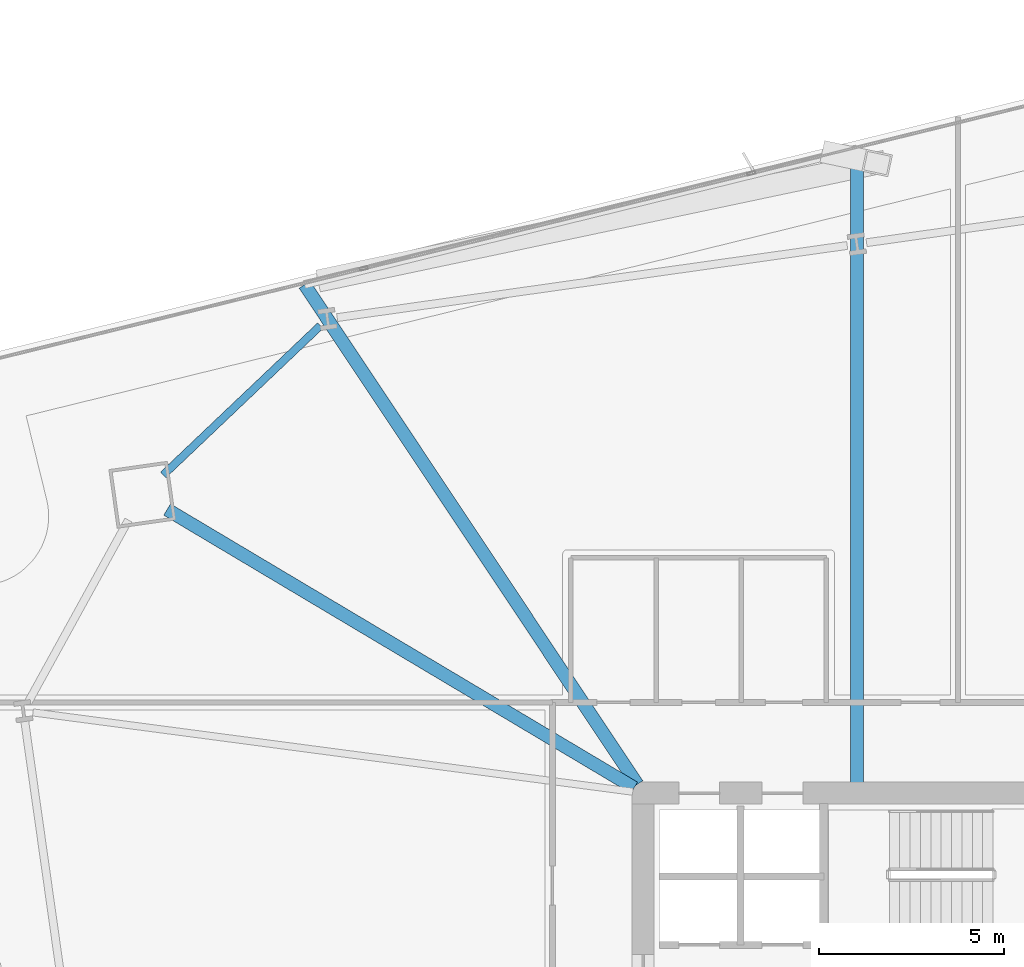
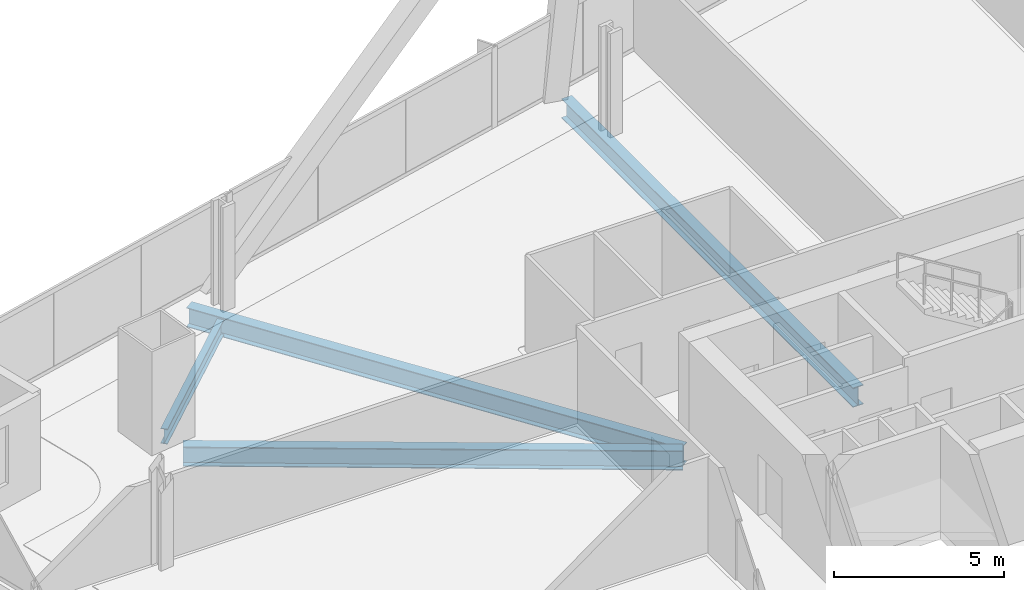
# One storey, part 15 of 32: 4 beams.
"""IFC4 building model written with IfcOpenShell, lengths in metres."""

from ifc_helpers import new_model, si_unit, direction, frame, origin, origin_2d, place, context, subcontext, project, spatial, i_section, extrude, material, material_profile, profile_set, type_object, element, save


model = new_model("IFC4")

# Units and contexts
model_context = context("Model", 3, precision=1e-05, world=origin(), true_north=direction((0.0, 1.0)))
body_context = subcontext(model_context, "Body", "Model", "MODEL_VIEW")
ifc_project = project(units=[si_unit("LENGTHUNIT", "METRE"), si_unit("AREAUNIT", "SQUARE_METRE"), si_unit("VOLUMEUNIT", "CUBIC_METRE"), si_unit("PLANEANGLEUNIT", "RADIAN"), si_unit("MASSUNIT", "GRAM", prefix="KILO")], contexts=[model_context])

# Site, building, storey
site_placement = place(None, origin())
site = spatial("IfcSite", under=ifc_project, at=site_placement, CompositionType="ELEMENT")
building_placement = place(site_placement, origin())
building = spatial("IfcBuilding", under=site, at=building_placement, Name="Haldenkirk Collegiate Tower", CompositionType="ELEMENT")
storey_placement = place(building_placement, frame((0.0, 0.0, 73.949951171875)))
storey = spatial("IfcBuildingStorey", under=building, at=storey_placement, Name="L17", CompositionType="ELEMENT", Elevation=73.949951171875)

# Beams
ifc_material = material(Name="Steel ASTM A992 Grade 50", Category="steel")
ifc_material_profile_1 = material_profile(ifc_material, i_section(OverallWidth=0.35498046875, OverallDepth=0.696044921875, WebThickness=0.015380859375, FlangeThickness=0.02490234375, at=origin_2d()), Name="W27X146")
ifc_profile_set_1 = profile_set([ifc_material_profile_1], Name="Steel ASTM A992 Grade 50")
beam_type_1 = type_object("IfcBeamType", Name="BM-GIRDER-W27X146", PredefinedType="BEAM", material=ifc_profile_set_1)
beam_1_placement = place(storey_placement, frame((14.14990234375, 41.6552734375, -0.657958984375), z_axis=(0.859106056552, -0.511797600225, 0.0), x_axis=(0.511797600225, 0.859106056552, 0.0)))
element("IfcBeam", 1, at=beam_1_placement, inside=storey, type_object=beam_type_1, Name="L17 primary floor girder 04", PredefinedType="BEAM", context=body_context, shape_type="SweptSolid", body=[
    extrude(i_section(OverallWidth=0.35498046875, OverallDepth=0.696044921875, WebThickness=0.015380859375, FlangeThickness=0.02490234375, at=origin_2d()), origin(), (0.0, 0.0, 1.0), 14.677490234375),
])
beam_2_placement = place(storey_placement, frame((32.772216796875, 51.39306640625, -0.657958984375), z_axis=(0.0, -1.0, 0.0), x_axis=(1.0, 0.0, 0.0)))
element("IfcBeam", 2, at=beam_2_placement, inside=storey, type_object=beam_type_1, Name="L17 primary floor girder 12", PredefinedType="BEAM", context=body_context, shape_type="SweptSolid", body=[
    extrude(i_section(OverallWidth=0.35498046875, OverallDepth=0.696044921875, WebThickness=0.015380859375, FlangeThickness=0.02490234375, at=origin_2d()), origin(), (0.0, 0.0, 1.0), 17.113037109375),
])
beam_3_placement = place(storey_placement, frame((17.860107421875, 47.730224609375, -0.657958984375), z_axis=(0.554126725748, -0.832432322661, 0.0), x_axis=(0.832432322661, 0.554126725748, 0.0)))
element("IfcBeam", 3, at=beam_3_placement, inside=storey, type_object=beam_type_1, Name="L17 primary floor girder 13", PredefinedType="BEAM", context=body_context, shape_type="SweptSolid", body=[
    extrude(i_section(OverallWidth=0.35498046875, OverallDepth=0.696044921875, WebThickness=0.015380859375, FlangeThickness=0.02490234375, at=origin_2d()), origin(), (0.0, 0.0, 1.0), 16.214111328125),
])
ifc_material_profile_2 = material_profile(ifc_material, i_section(OverallWidth=0.2119140625, OverallDepth=0.5439453125, WebThickness=0.01318359375, FlangeThickness=0.021240234375, at=origin_2d()), Name="W21X83")
ifc_profile_set_2 = profile_set([ifc_material_profile_2], Name="Steel ASTM A992 Grade 50")
beam_type_2 = type_object("IfcBeamType", Name="BM-SPANDREL-W21X83", PredefinedType="SPANDREL", material=ifc_profile_set_2)
beam_4_placement = place(storey_placement, frame((18.28662109375, 46.619140625, -0.58203125), z_axis=(-0.725132817178, -0.688609030911, 0.0), x_axis=(0.688609030911, -0.725132817178, 0.0)))
element("IfcBeam", 4, at=beam_4_placement, inside=storey, type_object=beam_type_2, Name="L17 perimeter spandrel beam 12", PredefinedType="SPANDREL", context=body_context, shape_type="SweptSolid", body=[
    extrude(i_section(OverallWidth=0.2119140625, OverallDepth=0.5439453125, WebThickness=0.01318359375, FlangeThickness=0.021240234375, at=origin_2d()), origin(), (0.0, 0.0, 1.0), 5.848876953125),
])

save(model, "model.ifc")
